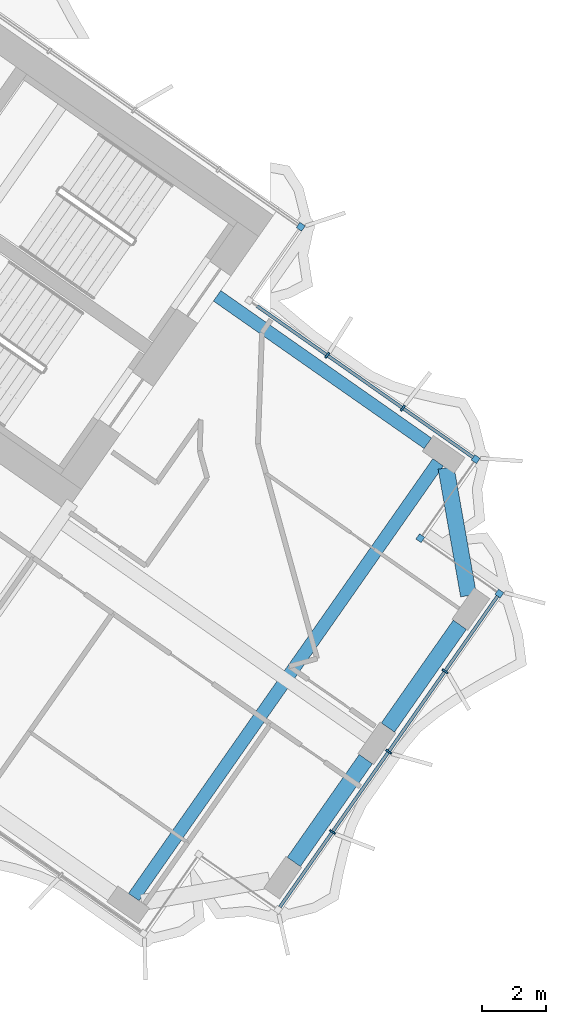
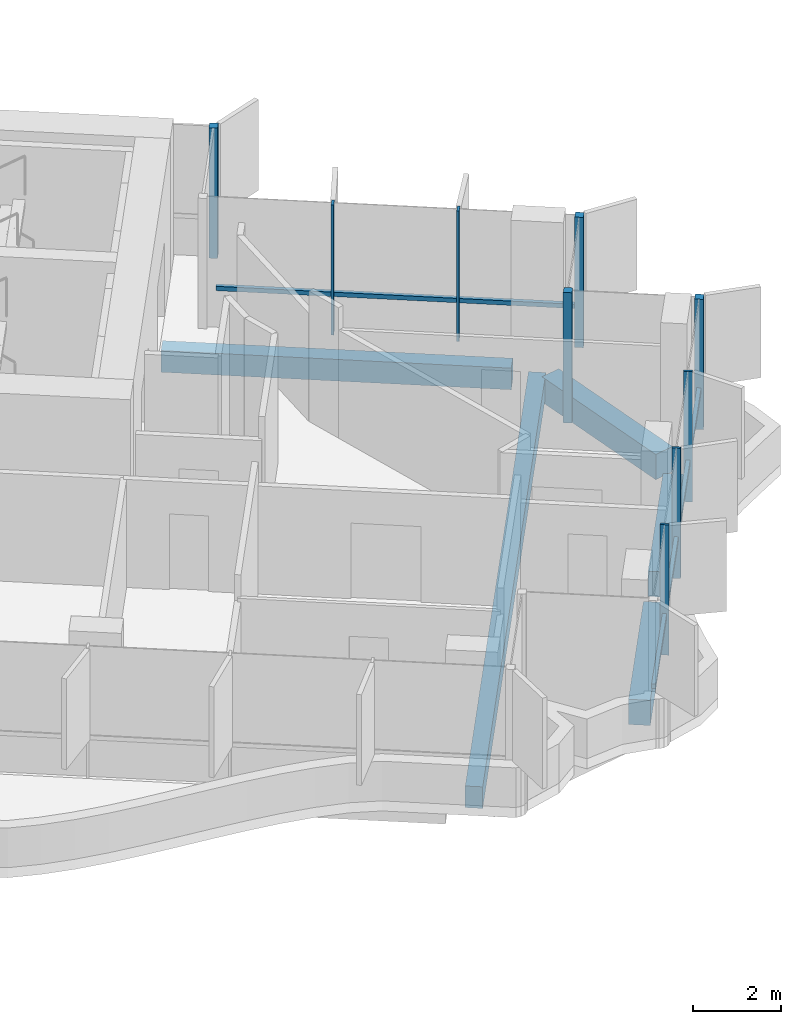
# One storey, part 9 of 21: 11 members, 5 beams, 2 elements without a shape of their own.
"""IFC4 building model written with IfcOpenShell, lengths in metres."""

from ifc_helpers import new_model, si_unit, direction, frame, origin, origin_2d, place, context, subcontext, project, spatial, rectangle, extrude, material, material_profile, profile_set, type_object, element, aggregate, save


model = new_model("IFC4")

# Units and contexts
model_context = context("Model", 3, precision=1e-05, world=origin(), true_north=direction((0.0, 1.0)))
body_context = subcontext(model_context, "Body", "Model", "MODEL_VIEW")
ifc_project = project(units=[si_unit("LENGTHUNIT", "METRE"), si_unit("AREAUNIT", "SQUARE_METRE"), si_unit("VOLUMEUNIT", "CUBIC_METRE"), si_unit("PLANEANGLEUNIT", "RADIAN"), si_unit("MASSUNIT", "GRAM", prefix="KILO")], contexts=[model_context])

# Site, building, storey
site_placement = place(None, origin())
site = spatial("IfcSite", under=ifc_project, at=site_placement, CompositionType="ELEMENT")
building_placement = place(site_placement, origin())
building = spatial("IfcBuilding", under=site, at=building_placement, Name="Tel Ilan Convention Tower", CompositionType="ELEMENT")
storey_placement = place(building_placement, frame((0.0, 0.0, 210.0)))
storey = spatial("IfcBuildingStorey", under=building, at=storey_placement, Name="L49", CompositionType="ELEMENT", Elevation=210.0)

# Beams
ifc_material_1 = material(Name="Concrete C40/50", Category="concrete")
ifc_material_profile_1 = material_profile(ifc_material_1, rectangle(XDim=0.39990234375, YDim=0.60009765625, at=origin_2d()), Name="RC 400x600")
ifc_profile_set_1 = profile_set([ifc_material_profile_1], Name="Concrete C40/50")
beam_type_1 = type_object("IfcBeamType", Name="Beam RC 400x600 Concrete C40/50", PredefinedType="BEAM", material=ifc_profile_set_1)
beam_1_placement = place(storey_placement, frame((32.771484375, -14.21826171875, -0.580078125), z_axis=(-0.819151624752, 0.573577035512, 0.0), x_axis=(-0.573577035512, -0.819151624752, 0.0)))
element("IfcBeam", 1, at=beam_1_placement, inside=storey, type_object=beam_type_1, Name="L49 beam E-E-BC-core", PredefinedType="BEAM", context=body_context, shape_type="SweptSolid", body=[
    extrude(rectangle(XDim=0.39990234375, YDim=0.60009765625, at=origin_2d()), origin(), (0.0, 0.0, 1.0), 8.0),
])
beam_2_placement = place(storey_placement, frame((23.626708984375, -28.32421875, -0.580078125), z_axis=(0.573577531157, 0.819151277697, 0.0), x_axis=(-0.819151277697, 0.573577531157, 0.0)))
element("IfcBeam", 2, at=beam_2_placement, inside=storey, type_object=beam_type_1, Name="L49 beam E-E-FC-E-BC", PredefinedType="BEAM", context=body_context, shape_type="SweptSolid", body=[
    extrude(rectangle(XDim=0.39990234375, YDim=0.60009765625, at=origin_2d()), origin(), (0.0, 0.0, 1.0), 16.500244140625),
])
ifc_material_2 = material(Name="Concrete C40/50", Category="concrete")
ifc_material_profile_2 = material_profile(ifc_material_2, rectangle(XDim=0.5, YDim=0.699951171875, at=origin_2d()), Name="RC 500x700")
ifc_profile_set_2 = profile_set([ifc_material_profile_2], Name="Concrete C40/50")
beam_type_2 = type_object("IfcBeamType", Name="Beam RC 500x700 Concrete C40/50", PredefinedType="BEAM", material=ifc_profile_set_2)
for number, where, z_axis, x_axis, name in (
    (3, (28.603759765625, -27.231201171875, -0.6298828125), (0.573609383536, 0.819128973434, 0.0), (-0.819128973434, 0.573609383536, 0.0), "L49 beam E-E-E1-E-E2"),
    (4, (31.529052734375, -23.053466796875, -0.6298828125), (0.573609383536, 0.819128973434, 0.0), (-0.819128973434, 0.573609383536, 0.0), "L49 beam E-E-E2-E-E3"),
):
    element("IfcBeam", number, at=place(storey_placement, frame(where, z_axis=z_axis, x_axis=x_axis)), inside=storey, type_object=beam_type_2, Name=name, PredefinedType="BEAM", context=body_context, shape_type="SweptSolid", body=[
        extrude(rectangle(XDim=0.5, YDim=0.699951171875, at=origin_2d()), origin(), (0.0, 0.0, 1.0), 3.89990234375),
    ])
beam_3_placement = place(storey_placement, frame((34.036376953125, -18.949462890625, -0.6298828125), z_axis=(-0.173605641124, 0.984815252405, 0.0), x_axis=(-0.984815252405, -0.173605641124, 0.0)))
element("IfcBeam", 5, at=beam_3_placement, inside=storey, type_object=beam_type_2, Name="L49 beam E-E-E3-E-BC", PredefinedType="BEAM", context=body_context, shape_type="SweptSolid", body=[
    extrude(rectangle(XDim=0.5, YDim=0.699951171875, at=origin_2d()), origin(), (0.0, 0.0, 1.0), 4.030517578125),
])

# Curtain wall, member
ifc_material_3 = material(Name="Aluminium, bronze anodised", Category="aluminium")
curtain_wall_type_1 = type_object("IfcCurtainWallType", Name="CW2 STICK CURTAIN WALL, SPANDREL PANELS", PredefinedType="NOTDEFINED", material=ifc_material_3)
curtain_wall_1_placement = place(storey_placement, origin())
curtain_wall_1 = element("IfcCurtainWall", 6, at=curtain_wall_1_placement, inside=storey, type_object=curtain_wall_type_1, Name="Curtain wall CW2-38.01", PredefinedType="NOTDEFINED")
ifc_material_4 = material(Name="Aluminium, bronze anodised", Category="aluminium")
ifc_material_profile_3 = material_profile(ifc_material_4, rectangle(XDim=0.199951171875, YDim=0.199951171875, at=origin_2d()), Name="CW CORNER MULLION 200x200")
ifc_profile_set_3 = profile_set([ifc_material_profile_3], Name="Aluminium, bronze anodised")
member_type_1 = type_object("IfcMemberType", Name="CW CORNER MULLION 200x200", PredefinedType="MULLION", material=ifc_profile_set_3)
member_1_placement = place(storey_placement, frame((28.819580078125, -7.483642578125, 0.0), z_axis=(0.0, 0.0, 1.0), x_axis=(0.573576436351, 0.819152044289, 0.0)))
member_1 = element("IfcMember", 7, at=member_1_placement, type_object=member_type_1, Name="Corner mullion", PredefinedType="MULLION", context=body_context, shape_type="SweptSolid", body=[
    extrude(rectangle(XDim=0.199951171875, YDim=0.199951171875, at=origin_2d()), origin(), (0.0, 0.0, 1.0), 3.6201171875),
])
aggregate(curtain_wall_1, [member_1])

# Curtain wall, members
ifc_material_5 = material(Name="Aluminium, bronze anodised", Category="aluminium")
curtain_wall_type_2 = type_object("IfcCurtainWallType", Name="CW4 STICK CURTAIN WALL, OFFICE TINTED GLASS", PredefinedType="NOTDEFINED", material=ifc_material_5)
curtain_wall_2_placement = place(storey_placement, origin())
curtain_wall_2 = element("IfcCurtainWall", 8, at=curtain_wall_2_placement, inside=storey, type_object=curtain_wall_type_2, Name="Curtain wall CW4-38.02", PredefinedType="NOTDEFINED")
member_2_placement = place(storey_placement, frame((34.994873046875, -18.88818359375, 0.0), z_axis=(0.0, 0.0, 1.0), x_axis=(0.573576436351, 0.819152044289, 0.0)))
member_2 = element("IfcMember", 9, at=member_2_placement, type_object=member_type_1, Name="Corner mullion", PredefinedType="MULLION", context=body_context, shape_type="SweptSolid", body=[
    extrude(rectangle(XDim=0.199951171875, YDim=0.199951171875, at=origin_2d()), origin(), (0.0, 0.0, 1.0), 3.6201171875),
])
member_3_placement = place(storey_placement, frame((32.53759765625, -17.16748046875, 0.0), z_axis=(0.0, 0.0, 1.0), x_axis=(-0.819152044289, 0.573576436351, 0.0)))
member_3 = element("IfcMember", 10, at=member_3_placement, type_object=member_type_1, Name="Corner mullion", PredefinedType="MULLION", context=body_context, shape_type="SweptSolid", body=[
    extrude(rectangle(XDim=0.199951171875, YDim=0.199951171875, at=origin_2d()), origin(), (0.0, 0.0, 1.0), 3.6201171875),
])
member_4_placement = place(storey_placement, frame((34.25830078125, -14.7099609375, 0.0), z_axis=(0.0, 0.0, 1.0), x_axis=(0.573576436351, 0.819152044289, 0.0)))
member_4 = element("IfcMember", 11, at=member_4_placement, type_object=member_type_1, Name="Corner mullion", PredefinedType="MULLION", context=body_context, shape_type="SweptSolid", body=[
    extrude(rectangle(XDim=0.199951171875, YDim=0.199951171875, at=origin_2d()), origin(), (0.0, 0.0, 1.0), 3.6201171875),
])
ifc_material_6 = material(Name="Aluminium, bronze anodised", Category="aluminium")
ifc_material_profile_4 = material_profile(ifc_material_6, rectangle(XDim=0.06005859375, YDim=0.199951171875, at=origin_2d()), Name="CW MULLION 60x200")
ifc_profile_set_4 = profile_set([ifc_material_profile_4], Name="Aluminium, bronze anodised")
member_type_2 = type_object("IfcMemberType", Name="CW MULLION 60x200", PredefinedType="MULLION", material=ifc_profile_set_4)
member_5_placement = place(storey_placement, frame((29.80419921875, -26.301513671875, 0.0), z_axis=(0.0, 0.0, 1.0), x_axis=(0.573576436351, 0.819152044289, 0.0)))
member_5 = element("IfcMember", 12, at=member_5_placement, type_object=member_type_2, Name="Mullion", PredefinedType="MULLION", context=body_context, shape_type="SweptSolid", body=[
    extrude(rectangle(XDim=0.06005859375, YDim=0.199951171875, at=origin_2d()), origin(), (0.0, 0.0, 1.0), 3.6201171875),
])
member_6_placement = place(storey_placement, frame((31.553466796875, -23.802978515625, 0.0), z_axis=(0.0, 0.0, 1.0), x_axis=(0.573576436351, 0.819152044289, 0.0)))
member_6 = element("IfcMember", 13, at=member_6_placement, type_object=member_type_2, Name="Mullion", PredefinedType="MULLION", context=body_context, shape_type="SweptSolid", body=[
    extrude(rectangle(XDim=0.06005859375, YDim=0.199951171875, at=origin_2d()), origin(), (0.0, 0.0, 1.0), 3.6201171875),
])
member_7_placement = place(storey_placement, frame((33.302978515625, -21.3046875, 0.0), z_axis=(0.0, 0.0, 1.0), x_axis=(0.573576436351, 0.819152044289, 0.0)))
member_7 = element("IfcMember", 14, at=member_7_placement, type_object=member_type_2, Name="Mullion", PredefinedType="MULLION", context=body_context, shape_type="SweptSolid", body=[
    extrude(rectangle(XDim=0.06005859375, YDim=0.199951171875, at=origin_2d()), origin(), (0.0, 0.0, 1.0), 3.6201171875),
])
member_8_placement = place(storey_placement, frame((31.991943359375, -13.123046875, 0.0), z_axis=(0.0, 0.0, 1.0), x_axis=(-0.819152044289, 0.573576436351, 0.0)))
member_8 = element("IfcMember", 15, at=member_8_placement, type_object=member_type_2, Name="Mullion", PredefinedType="MULLION", context=body_context, shape_type="SweptSolid", body=[
    extrude(rectangle(XDim=0.06005859375, YDim=0.199951171875, at=origin_2d()), origin(), (0.0, 0.0, 1.0), 3.6201171875),
])
member_9_placement = place(storey_placement, frame((29.6435546875, -11.478759765625, 0.0), z_axis=(0.0, 0.0, 1.0), x_axis=(-0.819152044289, 0.573576436351, 0.0)))
member_9 = element("IfcMember", 16, at=member_9_placement, type_object=member_type_2, Name="Mullion", PredefinedType="MULLION", context=body_context, shape_type="SweptSolid", body=[
    extrude(rectangle(XDim=0.06005859375, YDim=0.199951171875, at=origin_2d()), origin(), (0.0, 0.0, 1.0), 3.6201171875),
])
ifc_material_7 = material(Name="Aluminium, bronze anodised", Category="aluminium")
ifc_material_profile_5 = material_profile(ifc_material_7, rectangle(XDim=0.10009765625, YDim=0.1201171875, at=origin_2d()), Name="CW TRANSOM 100x120")
ifc_profile_set_5 = profile_set([ifc_material_profile_5], Name="Aluminium, bronze anodised")
member_type_3 = type_object("IfcMemberType", Name="CW TRANSOM 100x120", PredefinedType="USERDEFINED", material=ifc_profile_set_5)
member_10_placement = place(storey_placement, frame((28.16943359375, -28.635986328125, 1.10009765625), z_axis=(0.573567872435, 0.819158040741, 0.0), x_axis=(-0.819158040741, 0.573567872435, 0.0)))
member_10 = element("IfcMember", 17, at=member_10_placement, type_object=member_type_3, Name="Transom", ObjectType="TRANSOM", PredefinedType="USERDEFINED", context=body_context, shape_type="SweptSolid", body=[
    extrude(rectangle(XDim=0.10009765625, YDim=0.1201171875, at=origin_2d()), origin(), (0.0, 0.0, 1.0), 11.800048828125),
])
member_11_placement = place(storey_placement, frame((34.17626953125, -14.652587890625, 1.10009765625), z_axis=(-0.819149386388, 0.573580232209, 0.0), x_axis=(-0.573580232209, -0.819149386388, 0.0)))
member_11 = element("IfcMember", 18, at=member_11_placement, type_object=member_type_3, Name="Transom", ObjectType="TRANSOM", PredefinedType="USERDEFINED", context=body_context, shape_type="SweptSolid", body=[
    extrude(rectangle(XDim=0.10009765625, YDim=0.1201171875, at=origin_2d()), origin(), (0.0, 0.0, 1.0), 8.199951171875),
])
aggregate(curtain_wall_2, [member_5, member_6, member_7, member_2, member_10, member_3, member_4, member_8, member_9, member_11])

save(model, "model.ifc")
